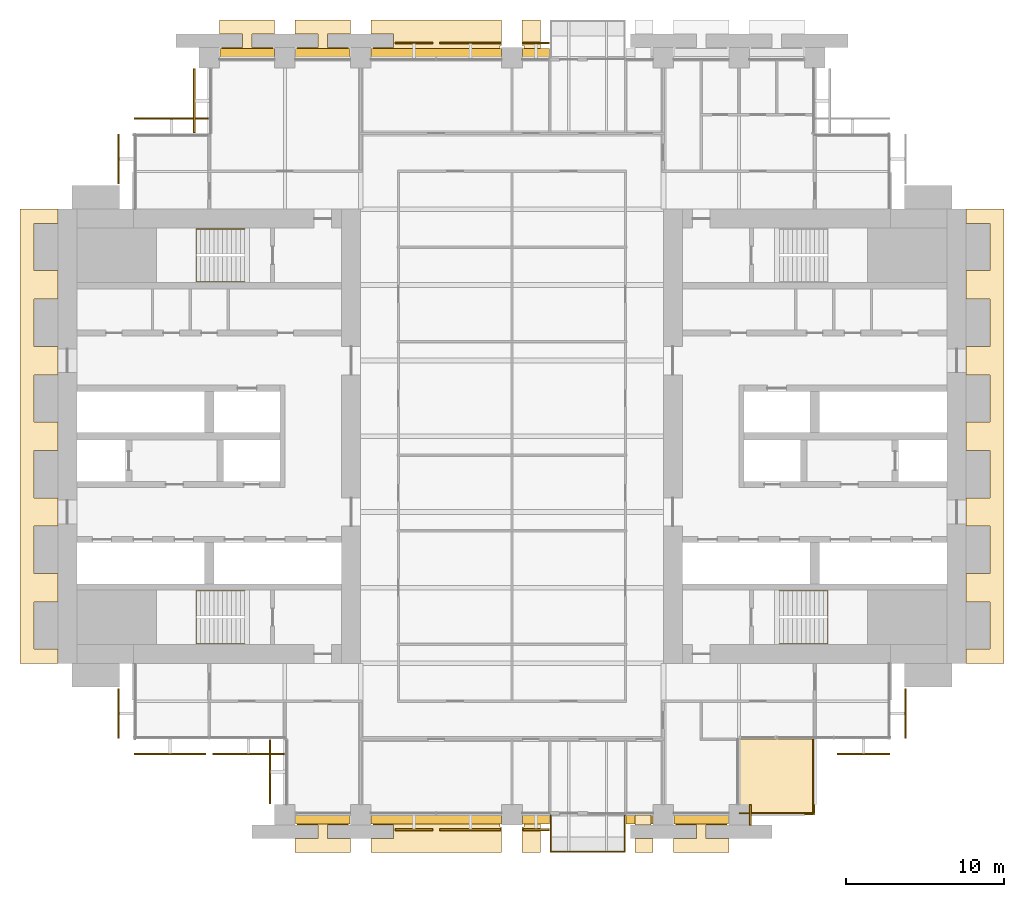
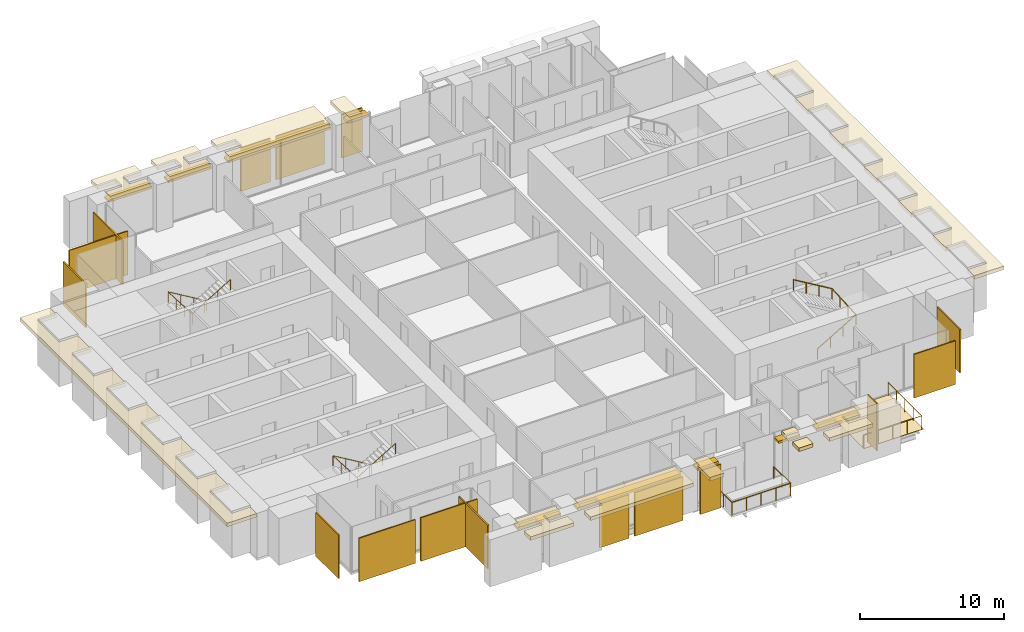
# One storey, part 14 of 15: 29 coverings, 9 shading devices, 5 railings.
"""IFC4 building model written with IfcOpenShell, lengths in metres."""

from ifc_helpers import new_model, si_unit, direction, frame, origin, origin_2d, place, context, subcontext, project, spatial, polyline, rectangle, circle, outline, extrude, material, layer, layer_set, type_object, element, save


model = new_model("IFC4")

# Units and contexts
model_context = context("Model", 3, precision=1e-05, world=origin(), true_north=direction((0.0, 1.0)))
body_context = subcontext(model_context, "Body", "Model", "MODEL_VIEW")
ifc_project = project(units=[si_unit("LENGTHUNIT", "METRE"), si_unit("AREAUNIT", "SQUARE_METRE"), si_unit("VOLUMEUNIT", "CUBIC_METRE"), si_unit("PLANEANGLEUNIT", "RADIAN"), si_unit("MASSUNIT", "GRAM", prefix="KILO")], contexts=[model_context])

# Site, building, storey
site_placement = place(None, origin())
site = spatial("IfcSite", under=ifc_project, at=site_placement, CompositionType="ELEMENT")
building_placement = place(site_placement, origin())
building = spatial("IfcBuilding", under=site, at=building_placement, Name="Baori Bourse Tower", CompositionType="ELEMENT")
storey_placement = place(building_placement, frame((0.0, 0.0, 59.0)))
storey = spatial("IfcBuildingStorey", under=building, at=storey_placement, Name="L12", CompositionType="ELEMENT", Elevation=59.0)

# Coverings
ifc_material_1 = material(Name="Pale anodised aluminium", Category="aluminium")
covering_type_1 = type_object("IfcCoveringType", Name="BD1 Pale metal band", PredefinedType="CLADDING", material=ifc_material_1)
covering_1_placement = place(storey_placement, frame((0.0, 0.0, 3.5400390625)))
element("IfcCovering", 1, at=covering_1_placement, inside=storey, type_object=covering_type_1, Name="Pale projecting band L12 1", PredefinedType="CLADDING", context=body_context, shape_type="SweptSolid", body=[
    extrude(outline(polyline([(57.60009765625, 10.5), (57.60009765625, 9.60009765625), (60.0, 9.60009765625), (60.0, 38.39990234375), (57.60009765625, 38.39990234375), (57.60009765625, 37.5), (59.10009765625, 37.5), (59.10009765625, 34.5), (57.60009765625, 34.5), (57.60009765625, 32.699951171875), (59.10009765625, 32.699951171875), (59.10009765625, 29.699951171875), (57.60009765625, 29.699951171875), (57.60009765625, 27.89990234375), (59.10009765625, 27.89990234375), (59.10009765625, 24.89990234375), (57.60009765625, 24.89990234375), (57.60009765625, 23.10009765625), (59.10009765625, 23.10009765625), (59.10009765625, 20.10009765625), (57.60009765625, 20.10009765625), (57.60009765625, 18.300048828125), (59.10009765625, 18.300048828125), (59.10009765625, 15.300048828125), (57.60009765625, 15.300048828125), (57.60009765625, 13.5), (59.10009765625, 13.5), (59.10009765625, 10.5), (57.60009765625, 10.5)])), origin(), (0.0, 0.0, 1.0), 0.300048828125),
])
covering_2_placement = place(storey_placement, frame((0.0, 0.0, 3.5400390625)))
element("IfcCovering", 2, at=covering_2_placement, inside=storey, type_object=covering_type_1, Name="Pale projecting band L12 6", PredefinedType="CLADDING", context=body_context, shape_type="SweptSolid", body=[
    extrude(outline(polyline([(29.570068359375, 48.0), (30.60009765625, 48.0), (30.60009765625, 50.39990234375), (29.449951171875, 50.39990234375), (29.449951171875, 48.77001953125), (29.570068359375, 48.77001953125), (29.570068359375, 48.0)])), origin(), (0.0, 0.0, 1.0), 0.300048828125),
])
covering_3_placement = place(storey_placement, frame((0.0, 0.0, 3.5400390625)))
element("IfcCovering", 3, at=covering_3_placement, inside=storey, type_object=covering_type_1, Name="Pale projecting band L12 7", PredefinedType="CLADDING", context=body_context, shape_type="SweptSolid", body=[
    extrude(outline(polyline([(19.969970703125, 48.0), (28.030029296875, 48.0), (28.030029296875, 48.77001953125), (28.14990234375, 48.77001953125), (28.14990234375, 50.39990234375), (19.85009765625, 50.39990234375), (19.85009765625, 49.5), (21.300048828125, 49.5), (21.300048828125, 48.64990234375), (19.969970703125, 48.64990234375), (19.969970703125, 48.0)])), origin(), (0.0, 0.0, 1.0), 0.300048828125),
])
covering_4_placement = place(storey_placement, frame((0.0, 0.0, 3.5400390625)))
element("IfcCovering", 4, at=covering_4_placement, inside=storey, type_object=covering_type_1, Name="Pale projecting band L12 8", PredefinedType="CLADDING", context=body_context, shape_type="SweptSolid", body=[
    extrude(outline(polyline([(15.169921875, 48.0), (18.429931640625, 48.0), (18.429931640625, 48.64990234375), (17.10009765625, 48.64990234375), (17.10009765625, 49.5), (18.550048828125, 49.5), (18.550048828125, 50.39990234375), (15.050048828125, 50.39990234375), (15.050048828125, 49.5), (16.5, 49.5), (16.5, 48.64990234375), (15.169921875, 48.64990234375), (15.169921875, 48.0)])), origin(), (0.0, 0.0, 1.0), 0.300048828125),
])
covering_5_placement = place(storey_placement, frame((0.0, 0.0, 3.5400390625)))
element("IfcCovering", 5, at=covering_5_placement, inside=storey, type_object=covering_type_1, Name="Pale projecting band L12 9", PredefinedType="CLADDING", context=body_context, shape_type="SweptSolid", body=[
    extrude(outline(polyline([(10.3701171875, 48.0), (13.6298828125, 48.0), (13.6298828125, 48.64990234375), (12.300048828125, 48.64990234375), (12.300048828125, 49.5), (13.75, 49.5), (13.75, 50.39990234375), (10.25, 50.39990234375), (10.25, 49.5), (11.699951171875, 49.5), (11.699951171875, 48.64990234375), (10.3701171875, 48.64990234375), (10.3701171875, 48.0)])), origin(), (0.0, 0.0, 1.0), 0.300048828125),
])
covering_6_placement = place(storey_placement, frame((0.0, 0.0, 3.5400390625)))
element("IfcCovering", 6, at=covering_6_placement, inside=storey, type_object=covering_type_1, Name="Pale projecting band L12 10", PredefinedType="CLADDING", context=body_context, shape_type="SweptSolid", body=[
    extrude(outline(polyline([(0.0, 37.5), (0.0, 38.39990234375), (-2.39990234375, 38.39990234375), (-2.39990234375, 9.60009765625), (0.0, 9.60009765625), (0.0, 10.5), (-1.5, 10.5), (-1.5, 13.5), (0.0, 13.5), (0.0, 15.300048828125), (-1.5, 15.300048828125), (-1.5, 18.300048828125), (0.0, 18.300048828125), (0.0, 20.10009765625), (-1.5, 20.10009765625), (-1.5, 23.10009765625), (0.0, 23.10009765625), (0.0, 24.89990234375), (-1.5, 24.89990234375), (-1.5, 27.89990234375), (0.0, 27.89990234375), (0.0, 29.699951171875), (-1.5, 29.699951171875), (-1.5, 32.699951171875), (0.0, 32.699951171875), (0.0, 34.5), (-1.5, 34.5), (-1.5, 37.5), (0.0, 37.5)])), origin(), (0.0, 0.0, 1.0), 0.300048828125),
])
covering_7_placement = place(storey_placement, frame((0.0, 0.0, 3.5400390625)))
element("IfcCovering", 7, at=covering_7_placement, inside=storey, type_object=covering_type_1, Name="Pale projecting band L12 11", PredefinedType="CLADDING", context=body_context, shape_type="SweptSolid", body=[
    extrude(outline(polyline([(18.429931640625, 0.0), (15.169921875, 0.0), (15.169921875, -0.64990234375), (16.5, -0.64990234375), (16.5, -1.5), (15.050048828125, -1.5), (15.050048828125, -2.39990234375), (18.550048828125, -2.39990234375), (18.550048828125, -1.5), (17.10009765625, -1.5), (17.10009765625, -0.64990234375), (18.429931640625, -0.64990234375), (18.429931640625, 0.0)])), origin(), (0.0, 0.0, 1.0), 0.300048828125),
])
covering_8_placement = place(storey_placement, frame((0.0, 0.0, 3.5400390625)))
element("IfcCovering", 8, at=covering_8_placement, inside=storey, type_object=covering_type_1, Name="Pale projecting band L12 12", PredefinedType="CLADDING", context=body_context, shape_type="SweptSolid", body=[
    extrude(outline(polyline([(28.030029296875, 0.0), (19.969970703125, 0.0), (19.969970703125, -0.64990234375), (21.300048828125, -0.64990234375), (21.300048828125, -1.5), (19.85009765625, -1.5), (19.85009765625, -2.39990234375), (28.14990234375, -2.39990234375), (28.14990234375, -0.77001953125), (28.030029296875, -0.77001953125), (28.030029296875, 0.0)])), origin(), (0.0, 0.0, 1.0), 0.300048828125),
])
covering_9_placement = place(storey_placement, frame((0.0, 0.0, 3.5400390625)))
element("IfcCovering", 9, at=covering_9_placement, inside=storey, type_object=covering_type_1, Name="Pale projecting band L12 13", PredefinedType="CLADDING", context=body_context, shape_type="SweptSolid", body=[
    extrude(outline(polyline([(30.60009765625, 0.0), (29.570068359375, 0.0), (29.570068359375, -0.77001953125), (29.449951171875, -0.77001953125), (29.449951171875, -2.39990234375), (30.60009765625, -2.39990234375), (30.60009765625, 0.0)])), origin(), (0.0, 0.0, 1.0), 0.300048828125),
])
covering_10_placement = place(storey_placement, frame((0.0, 0.0, 3.5400390625)))
element("IfcCovering", 10, at=covering_10_placement, inside=storey, type_object=covering_type_1, Name="Pale projecting band L12 14", PredefinedType="CLADDING", context=body_context, shape_type="SweptSolid", body=[
    extrude(outline(polyline([(37.75, -2.39990234375), (37.75, -1.5), (36.60009765625, -1.5), (36.60009765625, -2.39990234375), (37.75, -2.39990234375)])), origin(), (0.0, 0.0, 1.0), 0.300048828125),
])
covering_11_placement = place(storey_placement, frame((0.0, 0.0, 3.5400390625)))
element("IfcCovering", 11, at=covering_11_placement, inside=storey, type_object=covering_type_1, Name="Pale projecting band L12 15", PredefinedType="CLADDING", context=body_context, shape_type="SweptSolid", body=[
    extrude(outline(polyline([(37.6298828125, 0.0), (36.60009765625, 0.0), (36.60009765625, -0.64990234375), (37.6298828125, -0.64990234375), (37.6298828125, 0.0)])), origin(), (0.0, 0.0, 1.0), 0.300048828125),
])
covering_12_placement = place(storey_placement, frame((0.0, 0.0, 3.5400390625)))
element("IfcCovering", 12, at=covering_12_placement, inside=storey, type_object=covering_type_1, Name="Pale projecting band L12 16", PredefinedType="CLADDING", context=body_context, shape_type="SweptSolid", body=[
    extrude(outline(polyline([(42.429931640625, 0.0), (39.169921875, 0.0), (39.169921875, -0.64990234375), (40.5, -0.64990234375), (40.5, -1.5), (39.050048828125, -1.5), (39.050048828125, -2.39990234375), (42.550048828125, -2.39990234375), (42.550048828125, -1.5), (41.10009765625, -1.5), (41.10009765625, -0.64990234375), (42.429931640625, -0.64990234375), (42.429931640625, 0.0)])), origin(), (0.0, 0.0, 1.0), 0.300048828125),
])

# Shading devices
ifc_material_2 = material(Name="Concrete f'c 40 MPa", Category="concrete")
ifc_layer_1 = layer(ifc_material_2, 0.199951171875)
ifc_layer_set_1 = layer_set([ifc_layer_1], Name="BS1 Brise-soleil ledge")
shading_device_type = type_object("IfcShadingDeviceType", Name="BS1 Brise-soleil ledge", PredefinedType="USERDEFINED", material=ifc_layer_set_1)
shading_device_1_placement = place(storey_placement, frame((30.324951171875, 48.300048828125, 3.33984375), z_axis=(0.0, 0.0, 1.0), x_axis=(-1.0, 0.0, 0.0)))
element("IfcShadingDevice", 13, at=shading_device_1_placement, inside=storey, type_object=shading_device_type, Name="Brise-soleil ledge L12 4", ObjectType="BRISE SOLEIL", PredefinedType="USERDEFINED", context=body_context, shape_type="SweptSolid", body=[
    extrude(rectangle(XDim=1.7099609375, YDim=0.60009765625, at=origin_2d()), origin(), (0.0, 0.0, 1.0), 0.199951171875),
])
shading_device_2_placement = place(storey_placement, frame((24.0, 48.300048828125, 3.33984375), z_axis=(0.0, 0.0, 1.0), x_axis=(-1.0, 0.0, 0.0)))
element("IfcShadingDevice", 14, at=shading_device_2_placement, inside=storey, type_object=shading_device_type, Name="Brise-soleil ledge L12 5", ObjectType="BRISE SOLEIL", PredefinedType="USERDEFINED", context=body_context, shape_type="SweptSolid", body=[
    extrude(rectangle(XDim=8.260009765625, YDim=0.60009765625, at=origin_2d()), origin(), (0.0, 0.0, 1.0), 0.199951171875),
])
for number, where, z_axis, x_axis, name in (
    (15, (16.800048828125, 48.300048828125, 3.33984375), (0.0, 0.0, 1.0), (-1.0, 0.0, 0.0), "Brise-soleil ledge L12 6"),
    (16, (12.0, 48.300048828125, 3.33984375), (0.0, 0.0, 1.0), (-1.0, 0.0, 0.0), "Brise-soleil ledge L12 7"),
    (17, (16.800048828125, -0.300048828125, 3.33984375), (0.0, 0.0, 1.0), (1.0, 0.0, 0.0), "Brise-soleil ledge L12 8"),
):
    element("IfcShadingDevice", number, at=place(storey_placement, frame(where, z_axis=z_axis, x_axis=x_axis)), inside=storey, type_object=shading_device_type, Name=name, ObjectType="BRISE SOLEIL", PredefinedType="USERDEFINED", context=body_context, shape_type="SweptSolid", body=[
        extrude(rectangle(XDim=3.4599609375, YDim=0.60009765625, at=origin_2d()), origin(), (0.0, 0.0, 1.0), 0.199951171875),
    ])
shading_device_3_placement = place(storey_placement, frame((24.0, -0.300048828125, 3.33984375), z_axis=(0.0, 0.0, 1.0), x_axis=(1.0, 0.0, 0.0)))
element("IfcShadingDevice", 18, at=shading_device_3_placement, inside=storey, type_object=shading_device_type, Name="Brise-soleil ledge L12 9", ObjectType="BRISE SOLEIL", PredefinedType="USERDEFINED", context=body_context, shape_type="SweptSolid", body=[
    extrude(rectangle(XDim=8.260009765625, YDim=0.60009765625, at=origin_2d()), origin(), (0.0, 0.0, 1.0), 0.199951171875),
])
for number, where, z_axis, x_axis, name in (
    (19, (30.324951171875, -0.300048828125, 3.33984375), (0.0, 0.0, 1.0), (1.0, 0.0, 0.0), "Brise-soleil ledge L12 10"),
    (20, (36.875, -0.300048828125, 3.33984375), (0.0, 0.0, 1.0), (1.0, 0.0, 0.0), "Brise-soleil ledge L12 11"),
):
    element("IfcShadingDevice", number, at=place(storey_placement, frame(where, z_axis=z_axis, x_axis=x_axis)), inside=storey, type_object=shading_device_type, Name=name, ObjectType="BRISE SOLEIL", PredefinedType="USERDEFINED", context=body_context, shape_type="SweptSolid", body=[
        extrude(rectangle(XDim=1.7099609375, YDim=0.60009765625, at=origin_2d()), origin(), (0.0, 0.0, 1.0), 0.199951171875),
    ])
shading_device_4_placement = place(storey_placement, frame((40.800048828125, -0.300048828125, 3.33984375), z_axis=(0.0, 0.0, 1.0), x_axis=(1.0, 0.0, 0.0)))
element("IfcShadingDevice", 21, at=shading_device_4_placement, inside=storey, type_object=shading_device_type, Name="Brise-soleil ledge L12 12", ObjectType="BRISE SOLEIL", PredefinedType="USERDEFINED", context=body_context, shape_type="SweptSolid", body=[
    extrude(rectangle(XDim=3.4599609375, YDim=0.60009765625, at=origin_2d()), origin(), (0.0, 0.0, 1.0), 0.199951171875),
])

# Railings
ifc_material_3 = material(Name="Powder-coated steel balustrade", Category="steel")
railing_type_1 = type_object("IfcRailingType", Name="Core stair handrail", PredefinedType="HANDRAIL", material=ifc_material_3)
railing_1_placement = place(storey_placement, frame((11.85009765625, 14.199951171875, 0.166748046875)))
element("IfcRailing", 22, at=railing_1_placement, inside=storey, type_object=railing_type_1, Name="L12 ST1 stair handrail 1", PredefinedType="HANDRAIL", context=body_context, shape_type="SweptSolid", body=[
    extrude(circle(Radius=0.02392578125, at=origin_2d()), frame((0.0, 0.0, 0.8759765625), z_axis=(-0.859308565015, 0.0, 0.511457515432), x_axis=(0.0, -1.0, 0.0)), (0.0, 0.0, 1.0), 3.58447265625),
    extrude(circle(Radius=0.02392578125, at=origin_2d()), frame((-3.080078125, 0.0, 2.708984375), z_axis=(0.0, -0.998763387249, 0.04971615724), x_axis=(1.0, 0.0, 0.0)), (0.0, 0.0, 1.0), 3.35400390625),
    extrude(circle(Radius=0.02392578125, at=origin_2d()), frame((-3.080078125, -3.349853515625, 2.8759765625), z_axis=(0.859308565015, 0.0, 0.511457515432), x_axis=(0.0, 1.0, 0.0)), (0.0, 0.0, 1.0), 3.58447265625),
    extrude(circle(Radius=0.02099609375, at=origin_2d()), origin(), (0.0, 0.0, 1.0), 0.851806640625),
    extrude(circle(Radius=0.02099609375, at=origin_2d()), frame((-1.026611328125, 0.0, 0.611083984375)), (0.0, 0.0, 1.0), 0.851806640625),
    extrude(circle(Radius=0.02099609375, at=origin_2d()), frame((-2.053466796875, 0.0, 1.22216796875)), (0.0, 0.0, 1.0), 0.851806640625),
    extrude(circle(Radius=0.02099609375, at=origin_2d()), frame((-3.080078125, 0.0, 1.833251953125)), (0.0, 0.0, 1.0), 0.851806640625),
    extrude(circle(Radius=0.02099609375, at=origin_2d()), frame((-3.080078125, -1.11669921875, 1.888916015625)), (0.0, 0.0, 1.0), 0.851806640625),
    extrude(circle(Radius=0.02099609375, at=origin_2d()), frame((-3.080078125, -2.233154296875, 1.9443359375)), (0.0, 0.0, 1.0), 0.851806640625),
    extrude(circle(Radius=0.02099609375, at=origin_2d()), frame((-3.080078125, -3.349853515625, 2.0)), (0.0, 0.0, 1.0), 0.851806640625),
    extrude(circle(Radius=0.02099609375, at=origin_2d()), frame((-2.053466796875, -3.349853515625, 2.611083984375)), (0.0, 0.0, 1.0), 0.851806640625),
    extrude(circle(Radius=0.02099609375, at=origin_2d()), frame((-1.026611328125, -3.349853515625, 3.22216796875)), (0.0, 0.0, 1.0), 0.851806640625),
    extrude(circle(Radius=0.02099609375, at=origin_2d()), frame((0.0, -3.349853515625, 3.833251953125)), (0.0, 0.0, 1.0), 0.851806640625),
])
railing_2_placement = place(storey_placement, frame((11.85009765625, 37.14990234375, 0.166748046875)))
element("IfcRailing", 23, at=railing_2_placement, inside=storey, type_object=railing_type_1, Name="L12 ST2 stair handrail 1", PredefinedType="HANDRAIL", context=body_context, shape_type="SweptSolid", body=[
    extrude(circle(Radius=0.02392578125, at=origin_2d()), frame((0.0, 0.0, 0.8759765625), z_axis=(-0.859308565015, 0.0, 0.511457515432), x_axis=(0.0, -1.0, 0.0)), (0.0, 0.0, 1.0), 3.58447265625),
    extrude(circle(Radius=0.02392578125, at=origin_2d()), frame((-3.080078125, 0.0, 2.708984375), z_axis=(0.0, -0.998763387249, 0.04971615724), x_axis=(1.0, 0.0, 0.0)), (0.0, 0.0, 1.0), 3.35400390625),
    extrude(circle(Radius=0.02392578125, at=origin_2d()), frame((-3.080078125, -3.349853515625, 2.8759765625), z_axis=(0.859308565015, 0.0, 0.511457515432), x_axis=(0.0, 1.0, 0.0)), (0.0, 0.0, 1.0), 3.58447265625),
    extrude(circle(Radius=0.02099609375, at=origin_2d()), origin(), (0.0, 0.0, 1.0), 0.851806640625),
    extrude(circle(Radius=0.02099609375, at=origin_2d()), frame((-1.026611328125, 0.0, 0.611083984375)), (0.0, 0.0, 1.0), 0.851806640625),
    extrude(circle(Radius=0.02099609375, at=origin_2d()), frame((-2.053466796875, 0.0, 1.22216796875)), (0.0, 0.0, 1.0), 0.851806640625),
    extrude(circle(Radius=0.02099609375, at=origin_2d()), frame((-3.080078125, 0.0, 1.833251953125)), (0.0, 0.0, 1.0), 0.851806640625),
    extrude(circle(Radius=0.02099609375, at=origin_2d()), frame((-3.080078125, -1.11669921875, 1.888916015625)), (0.0, 0.0, 1.0), 0.851806640625),
    extrude(circle(Radius=0.02099609375, at=origin_2d()), frame((-3.080078125, -2.233154296875, 1.9443359375)), (0.0, 0.0, 1.0), 0.851806640625),
    extrude(circle(Radius=0.02099609375, at=origin_2d()), frame((-3.080078125, -3.349853515625, 2.0)), (0.0, 0.0, 1.0), 0.851806640625),
    extrude(circle(Radius=0.02099609375, at=origin_2d()), frame((-2.053466796875, -3.349853515625, 2.611083984375)), (0.0, 0.0, 1.0), 0.851806640625),
    extrude(circle(Radius=0.02099609375, at=origin_2d()), frame((-1.026611328125, -3.349853515625, 3.22216796875)), (0.0, 0.0, 1.0), 0.851806640625),
    extrude(circle(Radius=0.02099609375, at=origin_2d()), frame((0.0, -3.349853515625, 3.833251953125)), (0.0, 0.0, 1.0), 0.851806640625),
])
railing_3_placement = place(storey_placement, frame((45.75, 10.85009765625, 0.166748046875)))
element("IfcRailing", 24, at=railing_3_placement, inside=storey, type_object=railing_type_1, Name="L12 ST3 stair handrail 1", PredefinedType="HANDRAIL", context=body_context, shape_type="SweptSolid", body=[
    extrude(circle(Radius=0.02392578125, at=origin_2d()), frame((0.0, 0.0, 0.8759765625), z_axis=(0.859308565015, 0.0, 0.511457515432), x_axis=(0.0, 1.0, 0.0)), (0.0, 0.0, 1.0), 3.58447265625),
    extrude(circle(Radius=0.02392578125, at=origin_2d()), frame((3.080078125, 0.0, 2.708984375), z_axis=(0.0, 0.998763387249, 0.04971615724), x_axis=(-1.0, 0.0, 0.0)), (0.0, 0.0, 1.0), 3.35400390625),
    extrude(circle(Radius=0.02392578125, at=origin_2d()), frame((3.080078125, 3.349853515625, 2.8759765625), z_axis=(-0.859308565015, 0.0, 0.511457515432), x_axis=(0.0, -1.0, 0.0)), (0.0, 0.0, 1.0), 3.58447265625),
    extrude(circle(Radius=0.02099609375, at=origin_2d()), origin(), (0.0, 0.0, 1.0), 0.851806640625),
    extrude(circle(Radius=0.02099609375, at=origin_2d()), frame((1.026611328125, 0.0, 0.611083984375)), (0.0, 0.0, 1.0), 0.851806640625),
    extrude(circle(Radius=0.02099609375, at=origin_2d()), frame((2.053466796875, 0.0, 1.22216796875)), (0.0, 0.0, 1.0), 0.851806640625),
    extrude(circle(Radius=0.02099609375, at=origin_2d()), frame((3.080078125, 0.0, 1.833251953125)), (0.0, 0.0, 1.0), 0.851806640625),
    extrude(circle(Radius=0.02099609375, at=origin_2d()), frame((3.080078125, 1.11669921875, 1.888916015625)), (0.0, 0.0, 1.0), 0.851806640625),
    extrude(circle(Radius=0.02099609375, at=origin_2d()), frame((3.080078125, 2.233154296875, 1.9443359375)), (0.0, 0.0, 1.0), 0.851806640625),
    extrude(circle(Radius=0.02099609375, at=origin_2d()), frame((3.080078125, 3.349853515625, 2.0)), (0.0, 0.0, 1.0), 0.851806640625),
    extrude(circle(Radius=0.02099609375, at=origin_2d()), frame((2.053466796875, 3.349853515625, 2.611083984375)), (0.0, 0.0, 1.0), 0.851806640625),
    extrude(circle(Radius=0.02099609375, at=origin_2d()), frame((1.026611328125, 3.349853515625, 3.22216796875)), (0.0, 0.0, 1.0), 0.851806640625),
    extrude(circle(Radius=0.02099609375, at=origin_2d()), frame((0.0, 3.349853515625, 3.833251953125)), (0.0, 0.0, 1.0), 0.851806640625),
])
ifc_material_4 = material(Name="Stainless steel", Category="steel")
railing_type_2 = type_object("IfcRailingType", Name="GD1 Guard", PredefinedType="GUARDRAIL", material=ifc_material_4)
railing_4_placement = place(storey_placement, frame((47.89990234375, 4.77001953125, 0.0400390625)))
element("IfcRailing", 25, at=railing_4_placement, inside=storey, type_object=railing_type_2, Name="Guard terrace SE L12 1", PredefinedType="GUARDRAIL", context=body_context, shape_type="SweptSolid", body=[
    extrude(circle(Radius=0.02392578125, at=origin_2d()), frame((0.0, 0.0, 1.076171875), z_axis=(0.0, -1.0, 0.0), x_axis=(1.0, 0.0, 0.0)), (0.0, 0.0, 1.0), 4.669921875),
    extrude(circle(Radius=0.02392578125, at=origin_2d()), frame((0.0, -4.669921875, 1.076171875), z_axis=(-1.0, 0.0, 0.0), x_axis=(0.0, -1.0, 0.0)), (0.0, 0.0, 1.0), 4.669921875),
    extrude(circle(Radius=0.02099609375, at=origin_2d()), origin(), (0.0, 0.0, 1.0), 1.052001953125),
    extrude(circle(Radius=0.02099609375, at=origin_2d()), frame((0.0, -1.16748046875, 0.0)), (0.0, 0.0, 1.0), 1.052001953125),
    extrude(circle(Radius=0.02099609375, at=origin_2d()), frame((0.0, -2.3349609375, 0.0)), (0.0, 0.0, 1.0), 1.052001953125),
    extrude(circle(Radius=0.02099609375, at=origin_2d()), frame((0.0, -3.50244140625, 0.0)), (0.0, 0.0, 1.0), 1.052001953125),
    extrude(circle(Radius=0.02099609375, at=origin_2d()), frame((0.0, -4.669921875, 0.0)), (0.0, 0.0, 1.0), 1.052001953125),
    extrude(circle(Radius=0.02099609375, at=origin_2d()), frame((-1.16748046875, -4.669921875, 0.0)), (0.0, 0.0, 1.0), 1.052001953125),
    extrude(circle(Radius=0.02099609375, at=origin_2d()), frame((-2.3349609375, -4.669921875, 0.0)), (0.0, 0.0, 1.0), 1.052001953125),
    extrude(circle(Radius=0.02099609375, at=origin_2d()), frame((-3.50244140625, -4.669921875, 0.0)), (0.0, 0.0, 1.0), 1.052001953125),
    extrude(circle(Radius=0.02099609375, at=origin_2d()), frame((-4.669921875, -4.669921875, 0.0)), (0.0, 0.0, 1.0), 1.052001953125),
])
railing_5_placement = place(storey_placement, frame((31.25, -0.030029296875, 0.0)))
element("IfcRailing", 26, at=railing_5_placement, inside=storey, type_object=railing_type_2, Name="Guard balcony S L12 2", PredefinedType="GUARDRAIL", context=body_context, shape_type="SweptSolid", body=[
    extrude(circle(Radius=0.02392578125, at=origin_2d()), frame((0.0, 0.0, 1.076171875), z_axis=(0.0, -1.0, 0.0), x_axis=(1.0, 0.0, 0.0)), (0.0, 0.0, 1.0), 2.320068359375),
    extrude(circle(Radius=0.02392578125, at=origin_2d()), frame((0.0, -2.320068359375, 1.076171875), z_axis=(1.0, 0.0, 0.0), x_axis=(0.0, 1.0, 0.0)), (0.0, 0.0, 1.0), 4.699951171875),
    extrude(circle(Radius=0.02392578125, at=origin_2d()), frame((4.699951171875, -2.320068359375, 1.076171875), z_axis=(0.0, 1.0, 0.0), x_axis=(-1.0, 0.0, 0.0)), (0.0, 0.0, 1.0), 2.320068359375),
    extrude(circle(Radius=0.02099609375, at=origin_2d()), origin(), (0.0, 0.0, 1.0), 1.052001953125),
    extrude(circle(Radius=0.02099609375, at=origin_2d()), frame((0.0, -1.16015625, 0.0)), (0.0, 0.0, 1.0), 1.052001953125),
    extrude(circle(Radius=0.02099609375, at=origin_2d()), frame((0.0, -2.320068359375, 0.0)), (0.0, 0.0, 1.0), 1.052001953125),
    extrude(circle(Radius=0.02099609375, at=origin_2d()), frame((1.175048828125, -2.320068359375, 0.0)), (0.0, 0.0, 1.0), 1.052001953125),
    extrude(circle(Radius=0.02099609375, at=origin_2d()), frame((2.35009765625, -2.320068359375, 0.0)), (0.0, 0.0, 1.0), 1.052001953125),
    extrude(circle(Radius=0.02099609375, at=origin_2d()), frame((3.52490234375, -2.320068359375, 0.0)), (0.0, 0.0, 1.0), 1.052001953125),
    extrude(circle(Radius=0.02099609375, at=origin_2d()), frame((4.699951171875, -2.320068359375, 0.0)), (0.0, 0.0, 1.0), 1.052001953125),
    extrude(circle(Radius=0.02099609375, at=origin_2d()), frame((4.699951171875, -1.16015625, 0.0)), (0.0, 0.0, 1.0), 1.052001953125),
    extrude(circle(Radius=0.02099609375, at=origin_2d()), frame((4.699951171875, 0.0, 0.0)), (0.0, 0.0, 1.0), 1.052001953125),
])

# Coverings
ifc_material_5 = material(Name="Pale anodised aluminium", Category="aluminium")
ifc_layer_2 = layer(ifc_material_5, 0.10009765625)
ifc_layer_set_2 = layer_set([ifc_layer_2], Name="OS3 Outer skin screen panel")
covering_type_2 = type_object("IfcCoveringType", Name="OS3 Outer skin screen panel", PredefinedType="CLADDING", material=ifc_layer_set_2)
covering_13_placement = place(storey_placement, frame((0.0, 0.0, -0.159912109375)))
element("IfcCovering", 27, at=covering_13_placement, inside=storey, type_object=covering_type_2, Name="Outer skin screen L12 4", PredefinedType="CLADDING", context=body_context, shape_type="SweptSolid", body=[
    extrude(outline(polyline([(29.5, 48.89990234375), (31.14990234375, 48.89990234375), (31.14990234375, 49.0), (29.5, 49.0), (29.5, 48.89990234375)])), origin(), (0.0, 0.0, 1.0), 3.699951171875),
])
covering_14_placement = place(storey_placement, frame((0.0, 0.0, -0.159912109375)))
element("IfcCovering", 28, at=covering_14_placement, inside=storey, type_object=covering_type_2, Name="Outer skin screen L12 5", PredefinedType="CLADDING", context=body_context, shape_type="SweptSolid", body=[
    extrude(outline(polyline([(24.22509765625, 48.89990234375), (28.10009765625, 48.89990234375), (28.10009765625, 49.0), (24.22509765625, 49.0), (24.22509765625, 48.89990234375)])), origin(), (0.0, 0.0, 1.0), 3.699951171875),
])
covering_15_placement = place(storey_placement, frame((0.0, 0.0, -0.159912109375)))
element("IfcCovering", 29, at=covering_15_placement, inside=storey, type_object=covering_type_2, Name="Outer skin screen L12 6", PredefinedType="CLADDING", context=body_context, shape_type="SweptSolid", body=[
    extrude(outline(polyline([(21.39990234375, 48.89990234375), (23.77490234375, 48.89990234375), (23.77490234375, 49.0), (21.39990234375, 49.0), (21.39990234375, 48.89990234375)])), origin(), (0.0, 0.0, 1.0), 3.699951171875),
])
covering_16_placement = place(storey_placement, frame((0.0, 0.0, -0.159912109375)))
element("IfcCovering", 30, at=covering_16_placement, inside=storey, type_object=covering_type_2, Name="Outer skin screen L12 7", PredefinedType="CLADDING", context=body_context, shape_type="SweptSolid", body=[
    extrude(outline(polyline([(8.699951171875, 43.25), (8.699951171875, 47.300048828125), (8.60009765625, 47.300048828125), (8.60009765625, 43.25), (8.699951171875, 43.25)])), origin(), (0.0, 0.0, 1.0), 3.699951171875),
])
covering_17_placement = place(storey_placement, frame((0.0, 0.0, -0.159912109375)))
element("IfcCovering", 31, at=covering_17_placement, inside=storey, type_object=covering_type_2, Name="Outer skin screen L12 8", PredefinedType="CLADDING", context=body_context, shape_type="SweptSolid", body=[
    extrude(outline(polyline([(4.85009765625, 44.10009765625), (9.550048828125, 44.10009765625), (9.550048828125, 44.199951171875), (4.85009765625, 44.199951171875), (4.85009765625, 44.10009765625)])), origin(), (0.0, 0.0, 1.0), 3.699951171875),
])
covering_18_placement = place(storey_placement, frame((0.0, 0.0, -0.159912109375)))
element("IfcCovering", 32, at=covering_18_placement, inside=storey, type_object=covering_type_2, Name="Outer skin screen L12 9", PredefinedType="CLADDING", context=body_context, shape_type="SweptSolid", body=[
    extrude(outline(polyline([(3.89990234375, 40.0), (3.89990234375, 43.14990234375), (3.800048828125, 43.14990234375), (3.800048828125, 40.0), (3.89990234375, 40.0), (3.89990234375, 40.0)])), origin(), (0.0, 0.0, 1.0), 3.699951171875),
])
covering_19_placement = place(storey_placement, frame((0.0, 0.0, -0.159912109375)))
element("IfcCovering", 33, at=covering_19_placement, inside=storey, type_object=covering_type_2, Name="Outer skin screen L12 10", PredefinedType="CLADDING", context=body_context, shape_type="SweptSolid", body=[
    extrude(outline(polyline([(3.89990234375, 4.85009765625), (3.89990234375, 8.0), (3.89990234375, 8.0), (3.800048828125, 8.0), (3.800048828125, 4.85009765625), (3.89990234375, 4.85009765625)])), origin(), (0.0, 0.0, 1.0), 3.699951171875),
])
covering_20_placement = place(storey_placement, frame((0.0, 0.0, -0.159912109375)))
element("IfcCovering", 34, at=covering_20_placement, inside=storey, type_object=covering_type_2, Name="Outer skin screen L12 11", PredefinedType="CLADDING", context=body_context, shape_type="SweptSolid", body=[
    extrude(outline(polyline([(9.375, 3.89990234375), (4.85009765625, 3.89990234375), (4.85009765625, 3.800048828125), (9.375, 3.800048828125), (9.375, 3.89990234375)])), origin(), (0.0, 0.0, 1.0), 3.699951171875),
])
covering_21_placement = place(storey_placement, frame((0.0, 0.0, -0.159912109375)))
element("IfcCovering", 35, at=covering_21_placement, inside=storey, type_object=covering_type_2, Name="Outer skin screen L12 12", PredefinedType="CLADDING", context=body_context, shape_type="SweptSolid", body=[
    extrude(outline(polyline([(14.35009765625, 3.89990234375), (9.824951171875, 3.89990234375), (9.824951171875, 3.800048828125), (14.35009765625, 3.800048828125), (14.35009765625, 3.89990234375)])), origin(), (0.0, 0.0, 1.0), 3.699951171875),
])
covering_22_placement = place(storey_placement, frame((0.0, 0.0, -0.159912109375)))
element("IfcCovering", 36, at=covering_22_placement, inside=storey, type_object=covering_type_2, Name="Outer skin screen L12 13", PredefinedType="CLADDING", context=body_context, shape_type="SweptSolid", body=[
    extrude(outline(polyline([(13.5, 0.699951171875), (13.5, 4.75), (13.39990234375, 4.75), (13.39990234375, 0.699951171875), (13.5, 0.699951171875)])), origin(), (0.0, 0.0, 1.0), 3.699951171875),
])
covering_23_placement = place(storey_placement, frame((0.0, 0.0, -0.159912109375)))
element("IfcCovering", 37, at=covering_23_placement, inside=storey, type_object=covering_type_2, Name="Outer skin screen L12 14", PredefinedType="CLADDING", context=body_context, shape_type="SweptSolid", body=[
    extrude(outline(polyline([(23.77490234375, -0.89990234375), (21.39990234375, -0.89990234375), (21.39990234375, -1.0), (23.77490234375, -1.0), (23.77490234375, -0.89990234375)])), origin(), (0.0, 0.0, 1.0), 3.699951171875),
])
covering_24_placement = place(storey_placement, frame((0.0, 0.0, -0.159912109375)))
element("IfcCovering", 38, at=covering_24_placement, inside=storey, type_object=covering_type_2, Name="Outer skin screen L12 15", PredefinedType="CLADDING", context=body_context, shape_type="SweptSolid", body=[
    extrude(outline(polyline([(28.10009765625, -0.89990234375), (24.22509765625, -0.89990234375), (24.22509765625, -1.0), (28.10009765625, -1.0), (28.10009765625, -0.89990234375)])), origin(), (0.0, 0.0, 1.0), 3.699951171875),
])
covering_25_placement = place(storey_placement, frame((0.0, 0.0, -0.159912109375)))
element("IfcCovering", 39, at=covering_25_placement, inside=storey, type_object=covering_type_2, Name="Outer skin screen L12 16", PredefinedType="CLADDING", context=body_context, shape_type="SweptSolid", body=[
    extrude(outline(polyline([(31.14990234375, -0.89990234375), (29.5, -0.89990234375), (29.5, -1.0), (31.14990234375, -1.0), (31.14990234375, -0.89990234375)])), origin(), (0.0, 0.0, 1.0), 3.699951171875),
])
covering_26_placement = place(storey_placement, frame((0.0, 0.0, -0.159912109375)))
element("IfcCovering", 40, at=covering_26_placement, inside=storey, type_object=covering_type_2, Name="Outer skin screen L12 17", PredefinedType="CLADDING", context=body_context, shape_type="SweptSolid", body=[
    extrude(outline(polyline([(52.75, 3.89990234375), (49.425048828125, 3.89990234375), (49.425048828125, 3.800048828125), (52.75, 3.800048828125), (52.75, 3.89990234375)])), origin(), (0.0, 0.0, 1.0), 3.699951171875),
])
covering_27_placement = place(storey_placement, frame((0.0, 0.0, -0.159912109375)))
element("IfcCovering", 41, at=covering_27_placement, inside=storey, type_object=covering_type_2, Name="Outer skin screen L12 18", PredefinedType="CLADDING", context=body_context, shape_type="SweptSolid", body=[
    extrude(outline(polyline([(53.699951171875, 8.0), (53.699951171875, 4.85009765625), (53.800048828125, 4.85009765625), (53.800048828125, 8.0), (53.699951171875, 8.0)])), origin(), (0.0, 0.0, 1.0), 3.699951171875),
])
ifc_material_6 = material(Name="Face brick", Category="masonry")
ifc_layer_3 = layer(ifc_material_6, 0.110107421875)
ifc_layer_set_3 = layer_set([ifc_layer_3], Name="PC1 Brick pier facing")
covering_type_3 = type_object("IfcCoveringType", Name="PC1 Brick pier facing", PredefinedType="CLADDING", material=ifc_layer_set_3)
covering_28_placement = place(storey_placement, frame((43.905029296875, 0.0, 0.0), z_axis=(0.0, 0.0, 1.0), x_axis=(1.0, 0.0, 0.0)))
element("IfcCovering", 42, at=covering_28_placement, inside=storey, type_object=covering_type_3, Name="Brick pier facing L12 1", PredefinedType="CLADDING", context=body_context, shape_type="SweptSolid", body=[
    extrude(rectangle(XDim=0.110107421875, YDim=1.300048828125, at=origin_2d()), origin(), (0.0, 0.0, 1.0), 4.0),
])
ifc_material_7 = material(Name="Granite paving", Category="masonry")
ifc_layer_4 = layer(ifc_material_7, 0.0400390625)
ifc_layer_set_4 = layer_set([ifc_layer_4], Name="PV1 Deck paving")
covering_type_4 = type_object("IfcCoveringType", Name="PV1 Deck paving", PredefinedType="FLOORING", material=ifc_layer_set_4)
covering_29_placement = place(storey_placement, origin())
element("IfcCovering", 43, at=covering_29_placement, inside=storey, type_object=covering_type_4, Name="Terrace paving L12 1", PredefinedType="FLOORING", context=body_context, shape_type="SweptSolid", body=[
    extrude(outline(polyline([(43.199951171875, 0.0), (48.0, 0.0), (48.0, 4.800048828125), (43.199951171875, 4.800048828125), (43.199951171875, 0.0)])), origin(), (0.0, 0.0, 1.0), 0.0400390625),
])

save(model, "model.ifc")
